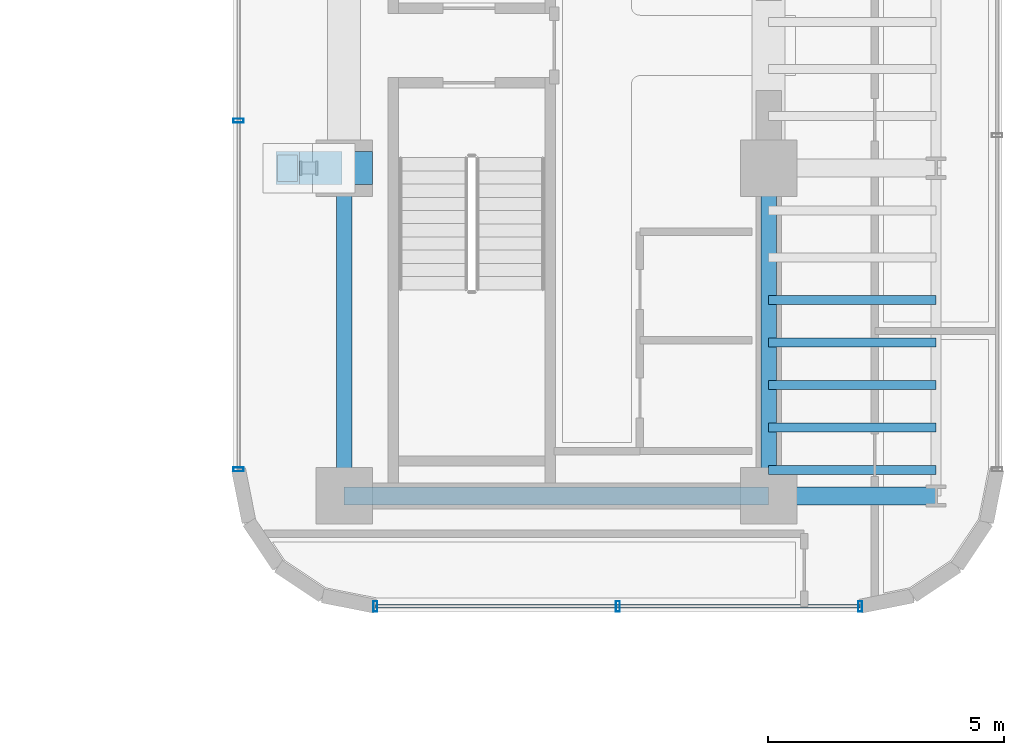
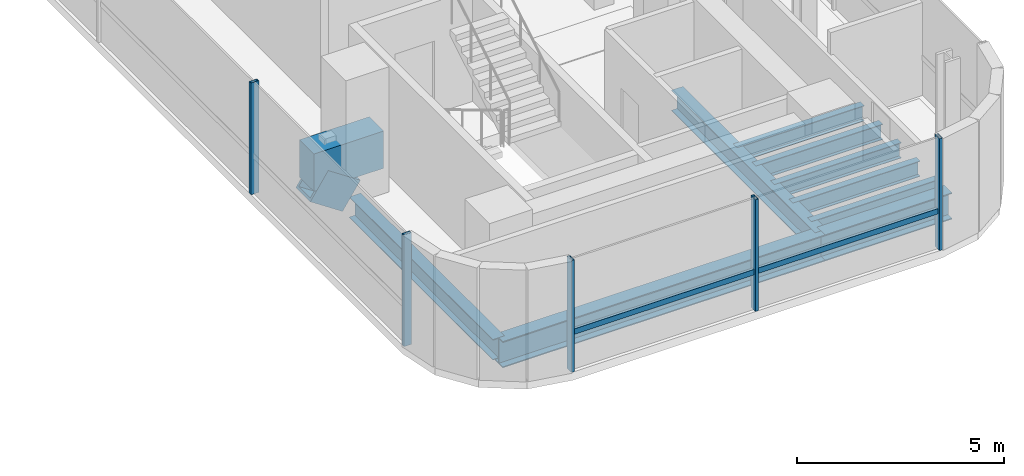
# One storey, part 13 of 35: 10 beams, 7 members, 2 elements without a shape of their own.
"""IFC4 building model written with IfcOpenShell, lengths in metres."""

from ifc_helpers import new_model, si_unit, direction, frame, origin, origin_2d, place, context, subcontext, project, spatial, rectangle, hollow_rectangle, i_section, extrude, source, transform, mapped, material, material_profile, profile_set, type_object, element, aggregate, save


model = new_model("IFC4")

# Units and contexts
model_context = context("Model", 3, precision=1e-05, world=origin(), true_north=direction((0.0, 1.0)))
body_context = subcontext(model_context, "Body", "Model", "MODEL_VIEW")
ifc_project = project(units=[si_unit("LENGTHUNIT", "METRE"), si_unit("AREAUNIT", "SQUARE_METRE"), si_unit("VOLUMEUNIT", "CUBIC_METRE"), si_unit("PLANEANGLEUNIT", "RADIAN"), si_unit("MASSUNIT", "GRAM", prefix="KILO")], contexts=[model_context])

# Site, building, storey
site_placement = place(None, origin())
site = spatial("IfcSite", under=ifc_project, at=site_placement, CompositionType="ELEMENT")
building_placement = place(site_placement, origin())
building = spatial("IfcBuilding", under=site, at=building_placement, Name="Valdorenza Pilgrim Sanctuary Tower", CompositionType="ELEMENT")
storey_placement = place(building_placement, frame((0.0, 0.0, 168.60009765625)))
storey = spatial("IfcBuildingStorey", under=building, at=storey_placement, Name="L43", CompositionType="ELEMENT", Elevation=168.60009765625)

# Beams
ifc_material_1 = material(Name="Steel ASTM A992 Grade 50", Category="steel")
ifc_material_profile_1 = material_profile(ifc_material_1, i_section(OverallWidth=0.323974609375, OverallDepth=0.611083984375, WebThickness=0.0126953125, FlangeThickness=0.01904296875, at=origin_2d()), Name="W24X104")
ifc_profile_set_1 = profile_set([ifc_material_profile_1], Name="Steel ASTM A992 Grade 50")
beam_type_1 = type_object("IfcBeamType", Name="STR-BM-GRD-W24B", PredefinedType="BEAM", material=ifc_profile_set_1)
shared_shape_1 = source(origin(), body_context, "Body", "SweptSolid", [
    extrude(i_section(OverallWidth=0.323974609375, OverallDepth=0.611083984375, WebThickness=0.0126953125, FlangeThickness=0.01904296875, at=origin_2d()), origin(), (0.0, 0.0, 1.0), 6.949951171875),
])
for number, where, z_axis, x_axis, name in (
    (1, (15.85009765625, -9.550048828125, -0.545654296875), (0.0, 1.0, 0.0), (-1.0, 0.0, 0.0), "L43 Core Tie Girder CB-W-S1M0"),
    (2, (24.85009765625, -9.550048828125, -0.545654296875), (0.0, 1.0, 0.0), (-1.0, 0.0, 0.0), "L43 Core Tie Girder CB-E-S1M0"),
):
    element("IfcBeam", number, at=place(storey_placement, frame(where, z_axis=z_axis, x_axis=x_axis)), inside=storey, type_object=beam_type_1, Name=name, PredefinedType="BEAM", context=body_context, shape_type="MappedRepresentation", body=[
        mapped(shared_shape_1, transform((0.0, 0.0, 0.0), x_axis=(1.0, 0.0, 0.0), y_axis=(0.0, 1.0, 0.0), z_axis=(0.0, 0.0, 1.0), scale=1.0)),
    ])
ifc_material_profile_2 = material_profile(ifc_material_1, i_section(OverallWidth=0.382080078125, OverallDepth=0.779052734375, WebThickness=0.01806640625, FlangeThickness=0.030029296875, at=origin_2d()), Name="W30X191")
ifc_profile_set_2 = profile_set([ifc_material_profile_2], Name="Steel ASTM A992 Grade 50")
beam_type_2 = type_object("IfcBeamType", Name="STR-BM-GRD-W30", PredefinedType="BEAM", material=ifc_profile_set_2)
shared_shape_2 = source(origin(), body_context, "Body", "SweptSolid", [
    extrude(i_section(OverallWidth=0.382080078125, OverallDepth=0.779052734375, WebThickness=0.01806640625, FlangeThickness=0.030029296875, at=origin_2d()), origin(), (0.0, 0.0, 1.0), 9.0),
])
beam_1_placement = place(storey_placement, frame((15.85009765625, -9.550048828125, -0.629638671875), z_axis=(1.0, 0.0, 0.0), x_axis=(0.0, 1.0, 0.0)))
element("IfcBeam", 3, at=beam_1_placement, inside=storey, type_object=beam_type_2, Name="L43 Floor Girder CB-XC-S1", PredefinedType="BEAM", context=body_context, shape_type="MappedRepresentation", body=[
    mapped(shared_shape_2, transform((0.0, 0.0, 0.0), x_axis=(1.0, 0.0, 0.0), y_axis=(0.0, 1.0, 0.0), z_axis=(0.0, 0.0, 1.0), scale=1.0)),
])
shared_shape_3 = source(origin(), body_context, "Body", "SweptSolid", [
    extrude(i_section(OverallWidth=0.382080078125, OverallDepth=0.779052734375, WebThickness=0.01806640625, FlangeThickness=0.030029296875, at=origin_2d()), origin(), (0.0, 0.0, 1.0), 3.5498046875),
])
beam_2_placement = place(storey_placement, frame((24.85009765625, -9.550048828125, -0.629638671875), z_axis=(1.0, 0.0, 0.0), x_axis=(0.0, 1.0, 0.0)))
element("IfcBeam", 4, at=beam_2_placement, inside=storey, type_object=beam_type_2, Name="L43 Floor Girder WB-XE-S1", PredefinedType="BEAM", context=body_context, shape_type="MappedRepresentation", body=[
    mapped(shared_shape_3, transform((0.0, 0.0, 0.0), x_axis=(1.0, 0.0, 0.0), y_axis=(0.0, 1.0, 0.0), z_axis=(0.0, 0.0, 1.0), scale=1.0)),
])
ifc_material_profile_3 = material_profile(ifc_material_1, i_section(OverallWidth=0.19091796875, OverallDepth=0.45703125, WebThickness=0.009033203125, FlangeThickness=0.014404296875, at=origin_2d()), Name="W18X50")
ifc_profile_set_3 = profile_set([ifc_material_profile_3], Name="Steel ASTM A992 Grade 50")
beam_type_3 = type_object("IfcBeamType", Name="STR-BM-JST-W18B", PredefinedType="JOIST", material=ifc_profile_set_3)
shared_shape_4 = source(origin(), body_context, "Body", "SweptSolid", [
    extrude(i_section(OverallWidth=0.19091796875, OverallDepth=0.45703125, WebThickness=0.009033203125, FlangeThickness=0.014404296875, at=origin_2d()), origin(), (0.0, 0.0, 1.0), 3.5498046875),
])
for number, where, z_axis, x_axis, name in (
    (5, (24.85009765625, -9.0, -0.468505859375), (1.0, 0.0, 0.0), (0.0, 1.0, 0.0), "L43 Composite Floor Joist JST-WB-1"),
    (6, (24.85009765625, -8.10009765625, -0.468505859375), (1.0, 0.0, 0.0), (0.0, 1.0, 0.0), "L43 Composite Floor Joist JST-WB-2"),
    (7, (24.85009765625, -7.199951171875, -0.468505859375), (1.0, 0.0, 0.0), (0.0, 1.0, 0.0), "L43 Composite Floor Joist JST-WB-3"),
    (8, (24.85009765625, -6.300048828125, -0.468505859375), (1.0, 0.0, 0.0), (0.0, 1.0, 0.0), "L43 Composite Floor Joist JST-WB-4"),
    (9, (24.85009765625, -5.39990234375, -0.468505859375), (1.0, 0.0, 0.0), (0.0, 1.0, 0.0), "L43 Composite Floor Joist JST-WB-5"),
):
    element("IfcBeam", number, at=place(storey_placement, frame(where, z_axis=z_axis, x_axis=x_axis)), inside=storey, type_object=beam_type_3, Name=name, PredefinedType="JOIST", context=body_context, shape_type="MappedRepresentation", body=[
        mapped(shared_shape_4, transform((0.0, 0.0, 0.0), x_axis=(1.0, 0.0, 0.0), y_axis=(0.0, 1.0, 0.0), z_axis=(0.0, 0.0, 1.0), scale=1.0)),
    ])
ifc_material_2 = material(Name="Concrete C50/60", Category="concrete")
ifc_material_profile_4 = material_profile(ifc_material_2, rectangle(XDim=0.699951171875, YDim=1.10009765625, at=origin_2d()), Name="RC 1100x700")
ifc_profile_set_4 = profile_set([ifc_material_profile_4], Name="Concrete C50/60")
beam_type_4 = type_object("IfcBeamType", Name="STR-BM-LNT-1100", PredefinedType="LINTEL", material=ifc_profile_set_4)
shared_shape_5 = source(origin(), body_context, "Body", "SweptSolid", [
    extrude(rectangle(XDim=0.699951171875, YDim=1.10009765625, at=origin_2d()), origin(), (0.0, 0.0, 1.0), 1.949951171875),
])
beam_3_placement = place(storey_placement, frame((14.5, -2.60009765625, 1.099853515625), z_axis=(1.0, 0.0, 0.0), x_axis=(0.0, 1.0, 0.0)))
element("IfcBeam", 10, at=beam_3_placement, inside=storey, type_object=beam_type_4, Name="L44 Wing B Portal Bridge 750 mm Corbel Seat 2", PredefinedType="LINTEL", context=body_context, shape_type="MappedRepresentation", body=[
    mapped(shared_shape_5, transform((0.0, 0.0, 0.0), x_axis=(1.0, 0.0, 0.0), y_axis=(0.0, 1.0, 0.0), z_axis=(0.0, 0.0, 1.0), scale=1.0)),
])

# Member
ifc_material_3 = material(Name="Steel ASTM A572 Grade 42", Category="steel")
ifc_material_profile_5 = material_profile(ifc_material_3, hollow_rectangle(XDim=0.699951171875, YDim=0.89990234375, WallThickness=0.070068359375, at=origin_2d()), Name="BOX 900x700x70")
ifc_profile_set_5 = profile_set([ifc_material_profile_5], Name="Steel ASTM A572 Grade 42")
member_type_1 = type_object("IfcMemberType", Name="STR-MB-OUT-BOX900", PredefinedType="BRACE", material=ifc_profile_set_5)
shared_shape_6 = source(origin(), body_context, "Body", "SweptSolid", [
    extrude(hollow_rectangle(XDim=0.699951171875, YDim=0.89990234375, WallThickness=0.070068359375, at=origin_2d()), origin(), (0.0, 0.0, 1.0), 1.081787109375),
])
member_1_placement = place(storey_placement, frame((14.64990234375, -2.60009765625, 0.64990234375), z_axis=(0.832050294338, 0.0, -0.554700196225), x_axis=(0.0, 1.0, 0.0)))
element("IfcMember", 11, at=member_1_placement, inside=storey, type_object=member_type_1, Name="L43 Portal Bridge Corbel Knee-Brace Strut 2", PredefinedType="BRACE", context=body_context, shape_type="MappedRepresentation", body=[
    mapped(shared_shape_6, transform((0.0, 0.0, 0.0), x_axis=(1.0, 0.0, 0.0), y_axis=(0.0, 1.0, 0.0), z_axis=(0.0, 0.0, 1.0), scale=1.0)),
])

# Curtain wall, member
ifc_material_4 = material(Name="Curtain-wall IGU glazing", Category="glass")
curtain_wall_type = type_object("IfcCurtainWallType", Name="CW-SYS-03", PredefinedType="NOTDEFINED", material=ifc_material_4)
curtain_wall_1_placement = place(storey_placement, origin())
curtain_wall_1 = element("IfcCurtainWall", 12, at=curtain_wall_1_placement, inside=storey, type_object=curtain_wall_type, Name="L43 Curtain Wall CW-L43-2-16", PredefinedType="NOTDEFINED")
ifc_material_5 = material(Name="Anodised aluminium AW-6060", Category="aluminium")
ifc_material_profile_6 = material_profile(ifc_material_5, hollow_rectangle(XDim=0.074951171875, YDim=0.159912109375, WallThickness=0.00390625, at=origin_2d()), Name="ALU-T 160x75x4")
ifc_profile_set_6 = profile_set([ifc_material_profile_6], Name="Anodised aluminium AW-6060")
member_type_2 = type_object("IfcMemberType", Name="CW-TRN-03", PredefinedType="USERDEFINED", material=ifc_profile_set_6)
shared_shape_7 = source(origin(), body_context, "Body", "SweptSolid", [
    extrude(hollow_rectangle(XDim=0.074951171875, YDim=0.159912109375, WallThickness=0.00390625, at=origin_2d()), origin(), (0.0, 0.0, 1.0), 10.278564453125),
])
member_2_placement = place(storey_placement, frame((26.789306640625, -11.889892578125, 1.119873046875), z_axis=(-1.0, 0.0, 0.0), x_axis=(0.0, -1.0, 0.0)))
member_2 = element("IfcMember", 13, at=member_2_placement, type_object=member_type_2, Name="CW-L43-2-16 Transom 1", ObjectType="TRANSOM", PredefinedType="USERDEFINED", context=body_context, shape_type="MappedRepresentation", body=[
    mapped(shared_shape_7, transform((0.0, 0.0, 0.0), x_axis=(1.0, 0.0, 0.0), y_axis=(0.0, 1.0, 0.0), z_axis=(0.0, 0.0, 1.0), scale=1.0)),
])

# Curtain wall, members
curtain_wall_2_placement = place(storey_placement, origin())
curtain_wall_2 = element("IfcCurtainWall", 14, at=curtain_wall_2_placement, inside=storey, type_object=curtain_wall_type, Name="L43 Curtain Wall CW-L43-2-1", PredefinedType="NOTDEFINED")
ifc_material_profile_7 = material_profile(ifc_material_5, hollow_rectangle(XDim=0.0849609375, YDim=0.219970703125, WallThickness=0.0048828125, at=origin_2d()), Name="ALU-M 220x85x5")
ifc_profile_set_7 = profile_set([ifc_material_profile_7], Name="Anodised aluminium AW-6060")
member_type_3 = type_object("IfcMemberType", Name="CW-MUL-03", PredefinedType="MULLION", material=ifc_profile_set_7)
shared_shape_8 = source(origin(), body_context, "Body", "SweptSolid", [
    extrude(hollow_rectangle(XDim=0.0849609375, YDim=0.219970703125, WallThickness=0.0048828125, at=origin_2d()), origin(), (0.0, 0.0, 1.0), 3.2998046875),
])
member_3_placement = place(storey_placement, frame((13.610107421875, -8.9892578125, 0.0), z_axis=(0.0, 0.0, 1.0), x_axis=(0.0, 1.0, 0.0)))
member_3 = element("IfcMember", 15, at=member_3_placement, type_object=member_type_3, Name="CW-L43-2-1 Mullion 1", PredefinedType="MULLION", context=body_context, shape_type="MappedRepresentation", body=[
    mapped(shared_shape_8, transform((0.0, 0.0, 0.0), x_axis=(1.0, 0.0, 0.0), y_axis=(0.0, 1.0, 0.0), z_axis=(0.0, 0.0, 1.0), scale=1.0)),
])
member_4_placement = place(storey_placement, frame((13.610107421875, -1.593017578125, 0.0), z_axis=(0.0, 0.0, 1.0), x_axis=(0.0, 1.0, 0.0)))
member_4 = element("IfcMember", 16, at=member_4_placement, type_object=member_type_3, Name="CW-L43-2-1 Mullion 2", PredefinedType="MULLION", context=body_context, shape_type="MappedRepresentation", body=[
    mapped(shared_shape_8, transform((0.0, 0.0, 0.0), x_axis=(1.0, 0.0, 0.0), y_axis=(0.0, 1.0, 0.0), z_axis=(0.0, 0.0, 1.0), scale=1.0)),
])
aggregate(curtain_wall_2, [member_3, member_4])

# Member
member_5_placement = place(storey_placement, frame((26.789306640625, -11.889892578125, 0.0), z_axis=(0.0, 0.0, 1.0), x_axis=(-1.0, 0.0, 0.0)))
member_5 = element("IfcMember", 17, at=member_5_placement, type_object=member_type_3, Name="CW-L43-2-16 Mullion 1", PredefinedType="MULLION", context=body_context, shape_type="MappedRepresentation", body=[
    mapped(shared_shape_8, transform((0.0, 0.0, 0.0), x_axis=(1.0, 0.0, 0.0), y_axis=(0.0, 1.0, 0.0), z_axis=(0.0, 0.0, 1.0), scale=1.0)),
])

member_6_placement = place(storey_placement, frame((21.64990234375, -11.889892578125, 0.0), z_axis=(0.0, 0.0, 1.0), x_axis=(-1.0, 0.0, 0.0)))
member_6 = element("IfcMember", 18, at=member_6_placement, type_object=member_type_3, Name="CW-L43-2-16 Mullion 2", PredefinedType="MULLION", context=body_context, shape_type="MappedRepresentation", body=[
    mapped(shared_shape_8, transform((0.0, 0.0, 0.0), x_axis=(1.0, 0.0, 0.0), y_axis=(0.0, 1.0, 0.0), z_axis=(0.0, 0.0, 1.0), scale=1.0)),
])

member_7_placement = place(storey_placement, frame((16.5107421875, -11.889892578125, 0.0), z_axis=(0.0, 0.0, 1.0), x_axis=(-1.0, 0.0, 0.0)))
member_7 = element("IfcMember", 19, at=member_7_placement, type_object=member_type_3, Name="CW-L43-2-16 Mullion 3", PredefinedType="MULLION", context=body_context, shape_type="MappedRepresentation", body=[
    mapped(shared_shape_8, transform((0.0, 0.0, 0.0), x_axis=(1.0, 0.0, 0.0), y_axis=(0.0, 1.0, 0.0), z_axis=(0.0, 0.0, 1.0), scale=1.0)),
])

aggregate(curtain_wall_1, [member_5, member_6, member_7, member_2])

save(model, "model.ifc")
